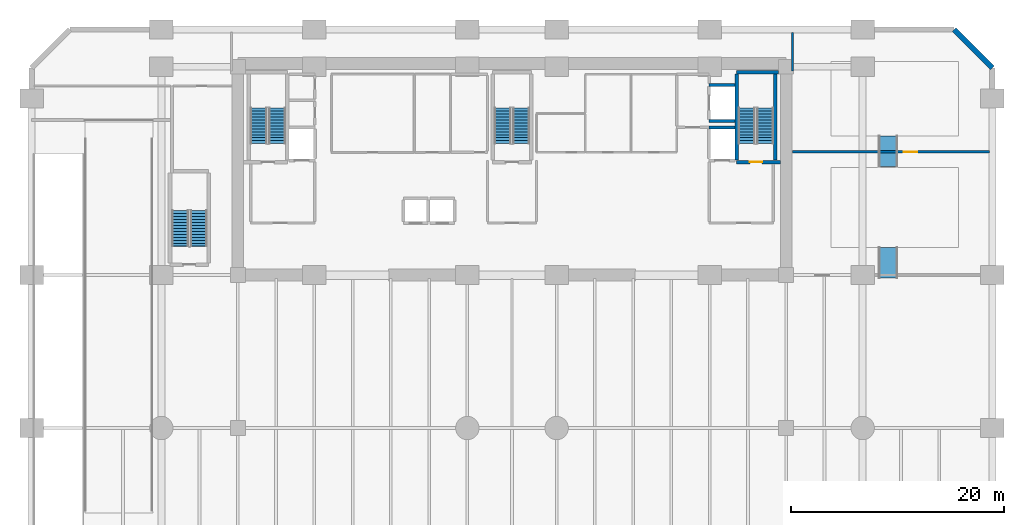
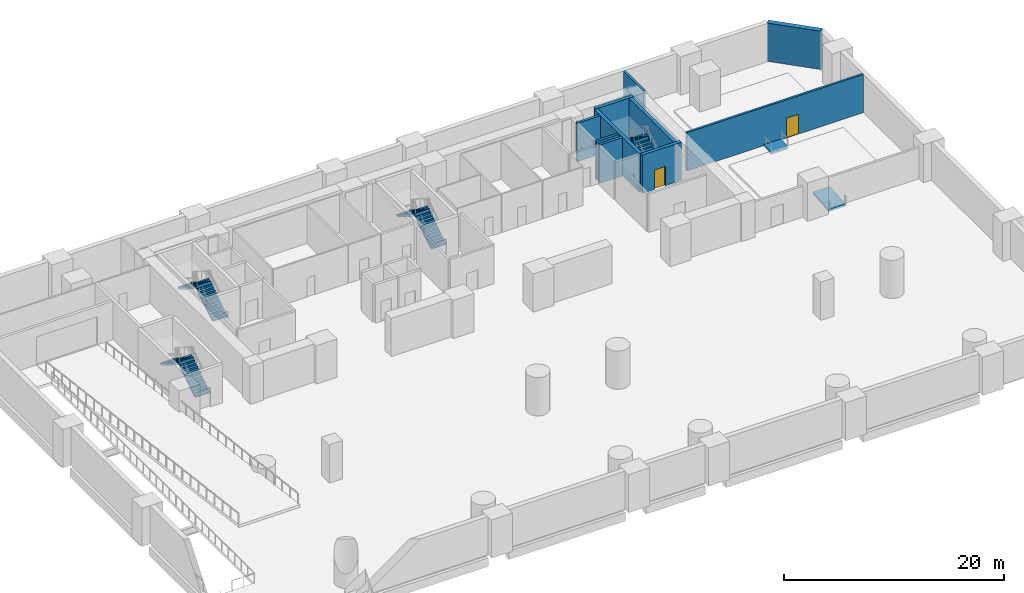
# One storey, part 6 of 9: 10 walls, 8 stair flights, 2 doors, 2 ramp flights, 2 openings, 6 elements without a shape of their own.
"""IFC4 building model written with IfcOpenShell, lengths in metres."""

from ifc_helpers import new_model, si_unit, direction, frame, frame_2d, origin, place, context, subcontext, project, spatial, polyline, rectangle, outline, extrude, material, layer, layer_set, type_object, element, fill, aggregate, save


model = new_model("IFC4")

# Units and contexts
model_context = context("Model", 3, precision=1e-05, world=origin(), true_north=direction((0.0, 1.0)))
body_context = subcontext(model_context, "Body", "Model", "MODEL_VIEW")
ifc_project = project(units=[si_unit("LENGTHUNIT", "METRE"), si_unit("AREAUNIT", "SQUARE_METRE"), si_unit("VOLUMEUNIT", "CUBIC_METRE"), si_unit("PLANEANGLEUNIT", "RADIAN"), si_unit("MASSUNIT", "GRAM", prefix="KILO")], contexts=[model_context])

# Site, building, storey
site_placement = place(None, origin())
site = spatial("IfcSite", under=ifc_project, at=site_placement, CompositionType="ELEMENT")
building_placement = place(site_placement, origin())
building = spatial("IfcBuilding", under=site, at=building_placement, Name="Kaelvorn Grand Hotel", CompositionType="ELEMENT")
storey_placement = place(building_placement, frame((0.0, 0.0, -4.60009765625)))
storey = spatial("IfcBuildingStorey", under=building, at=storey_placement, Name="B01", CompositionType="ELEMENT", Elevation=-4.60009765625)

# Wall, opening, door
ifc_material_1 = material(Name="Concrete C40/50", Category="concrete")
ifc_layer_1 = layer(ifc_material_1, 0.219970703125)
ifc_layer_set_1 = layer_set([ifc_layer_1], Name="Concrete C40/50")
wall_type_1 = type_object("IfcWallType", Name="WL-PART-220-EI120", PredefinedType="PARTITIONING", material=ifc_layer_set_1)
wall_1_placement = place(storey_placement, frame((68.39990234375, 41.0, 0.0), z_axis=(0.0, 0.0, 1.0), x_axis=(1.0, 0.0, 0.0)))
wall_1 = element("IfcWall", 1, at=wall_1_placement, inside=storey, type_object=wall_type_1, Name="B01 Dual 11kV Electrical Substation & Switchroom N Partition", PredefinedType="PARTITIONING", context=body_context, shape_type="SweptSolid", body=[
    extrude(rectangle(XDim=18.545166015625, YDim=0.219970703125, at=frame_2d((9.2724609375, 0.0))), origin(), (0.0, 0.0, 1.0), 4.25),
])
opening_1_placement = place(wall_1_placement, frame((10.449951171875, 0.0, 0.0)))
opening_1 = element("IfcOpeningElement", 2, at=opening_1_placement, cuts=wall_1, Name="Opening DI6", PredefinedType="OPENING", context=body_context, shape_type="SweptSolid", body=[
    extrude(rectangle(XDim=1.300048828125, YDim=2.199951171875, at=frame_2d((0.64990234375, 1.10009765625))), frame((0.0, 0.1201171875, 0.0), z_axis=(0.0, -1.0, 0.0), x_axis=(1.0, 0.0, 0.0)), (0.0, 0.0, 1.0), 0.239990234375),
])
ifc_material_2 = material(Name="Powder-Coated Steel Leaf", Category="steel")
door_type_1 = type_object("IfcDoorType", Name="DR-INT-PLANT-1300x2200", OperationType="DOUBLE_DOOR_SINGLE_SWING", PredefinedType="DOOR", material=ifc_material_2)
door_1_placement = place(opening_1_placement, origin())
door_1 = element("IfcDoor", 3, at=door_1_placement, inside=storey, type_object=door_type_1, Name="B01 Standby Diesel Generator Plant Room Door", OperationType="DOUBLE_DOOR_SINGLE_SWING", OverallHeight=2.199951171875, OverallWidth=1.300048828125, PredefinedType="DOOR", context=body_context, shape_type="SweptSolid", body=[
    extrude(rectangle(XDim=1.300048828125, YDim=2.199951171875, at=frame_2d((0.64990234375, 1.10009765625))), frame((0.0, 0.02490234375, 0.0), z_axis=(0.0, -1.0, 0.0), x_axis=(1.0, 0.0, 0.0)), (0.0, 0.0, 1.0), 0.050048828125),
])
fill(opening_1, door_1)

# Walls
wall_2_placement = place(storey_placement, frame((68.39990234375, 48.610107421875, 0.0), z_axis=(0.0, 0.0, 1.0), x_axis=(0.0, 1.0, 0.0)))
element("IfcWall", 4, at=wall_2_placement, inside=storey, type_object=wall_type_1, Name="B01 Standby Diesel Generator Plant Room W Partition", PredefinedType="PARTITIONING", context=body_context, shape_type="SweptSolid", body=[
    extrude(rectangle(XDim=3.635009765625, YDim=0.219970703125, at=frame_2d((1.8173828125, 0.0))), origin(), (0.0, 0.0, 1.0), 4.25),
])
ifc_material_3 = material(Name="Concrete C50/60", Category="concrete")
ifc_layer_2 = layer(ifc_material_3, 0.5)
ifc_layer_set_2 = layer_set([ifc_layer_2], Name="Concrete C50/60")
wall_type_2 = type_object("IfcWallType", Name="WL-RET-500-C50", PredefinedType="USERDEFINED", material=ifc_layer_set_2)
wall_3_placement = place(storey_placement, frame((87.199951171875, 48.89990234375, 0.0), z_axis=(0.0, 0.0, 1.0), x_axis=(-0.707082803744, 0.707130757816, 0.0)))
element("IfcWall", 5, at=wall_3_placement, inside=storey, type_object=wall_type_2, Name="B01 Perimeter Tanked Retaining Wall 04", ObjectType="RETAININGWALL", PredefinedType="USERDEFINED", context=body_context, shape_type="SweptSolid", body=[
    extrude(rectangle(XDim=5.091064453125, YDim=0.5, at=frame_2d((2.54541015625, 0.0))), origin(), (0.0, 0.0, 1.0), 4.25),
])
ifc_layer_3 = layer(ifc_material_3, 0.280029296875)
ifc_layer_set_3 = layer_set([ifc_layer_3], Name="Concrete C50/60")
wall_type_3 = type_object("IfcWallType", Name="WL-SHAFT-280-C50", PredefinedType="SHEAR", material=ifc_layer_set_3)
for number, where, z_axis, x_axis, name in (
    (6, (60.550048828125, 43.300048828125, 0.0), (0.0, 0.0, 1.0), (1.0, 0.0, 0.0), "B01 Lift FFL2 Shaft North Wall"),
    (7, (60.550048828125, 43.89990234375, 0.0), (0.0, 0.0, 1.0), (1.0, 0.0, 0.0), "B01 Lift SV1 Shaft South Wall"),
    (8, (60.550048828125, 47.300048828125, 0.0), (0.0, 0.0, 1.0), (1.0, 0.0, 0.0), "B01 Lift SV1 Shaft North Wall"),
):
    element("IfcWall", number, at=place(storey_placement, frame(where, z_axis=z_axis, x_axis=x_axis)), inside=storey, type_object=wall_type_3, Name=name, PredefinedType="SHEAR", context=body_context, shape_type="SweptSolid", body=[
        extrude(rectangle(XDim=2.4150390625, YDim=0.280029296875, at=frame_2d((1.20751953125, 0.0))), origin(), (0.0, 0.0, 1.0), 4.25),
    ])

# Wall, opening, door
ifc_material_4 = material(Name="Concrete C60/75", Category="concrete")
ifc_layer_4 = layer(ifc_material_4, 0.35009765625)
ifc_layer_set_4 = layer_set([ifc_layer_4], Name="Concrete C60/75")
wall_type_4 = type_object("IfcWallType", Name="WL-SHAFT-350-C60", PredefinedType="SHEAR", material=ifc_layer_set_4)
wall_4_placement = place(storey_placement, frame((63.14501953125, 40.02490234375, 0.0), z_axis=(0.0, 0.0, 1.0), x_axis=(1.0, 0.0, 0.0)))
wall_4 = element("IfcWall", 9, at=wall_4_placement, inside=storey, type_object=wall_type_4, Name="B01 ST3 Stair Shaft South Wall", PredefinedType="SHEAR", context=body_context, shape_type="SweptSolid", body=[
    extrude(rectangle(XDim=4.10009765625, YDim=0.35009765625, at=frame_2d((2.050048828125, 0.0))), origin(), (0.0, 0.0, 1.0), 4.25),
])
opening_2_placement = place(wall_4_placement, frame((1.239990234375, 0.0, 0.0)))
opening_2 = element("IfcOpeningElement", 10, at=opening_2_placement, cuts=wall_4, Name="Opening DI1", PredefinedType="OPENING", context=body_context, shape_type="SweptSolid", body=[
    extrude(rectangle(XDim=1.14990234375, YDim=2.14990234375, at=frame_2d((0.574951171875, 1.074951171875))), frame((0.0, 0.18505859375, 0.0), z_axis=(0.0, -1.0, 0.0), x_axis=(1.0, 0.0, 0.0)), (0.0, 0.0, 1.0), 0.3701171875),
])
ifc_material_5 = material(Name="Timber Veneer Fire Leaf", Category="wood")
door_type_2 = type_object("IfcDoorType", Name="DR-INT-STAIR-1150x2150", OperationType="NOTDEFINED", PredefinedType="DOOR", material=ifc_material_5)
door_2_placement = place(opening_2_placement, origin())
door_2 = element("IfcDoor", 11, at=door_2_placement, inside=storey, type_object=door_type_2, Name="B01 ST3 Exit Stair Fire Door", OperationType="SINGLE_SWING_RIGHT", OverallHeight=2.14990234375, OverallWidth=1.14990234375, PredefinedType="DOOR", context=body_context, shape_type="SweptSolid", body=[
    extrude(rectangle(XDim=1.14990234375, YDim=2.14990234375, at=frame_2d((0.574951171875, 1.074951171875))), frame((0.0, 0.02490234375, 0.0), z_axis=(0.0, -1.0, 0.0), x_axis=(1.0, 0.0, 0.0)), (0.0, 0.0, 1.0), 0.050048828125),
])
fill(opening_2, door_2)

# Walls
wall_5_placement = place(storey_placement, frame((63.14501953125, 48.47509765625, 0.0), z_axis=(0.0, 0.0, 1.0), x_axis=(1.0, 0.0, 0.0)))
element("IfcWall", 12, at=wall_5_placement, inside=storey, type_object=wall_type_4, Name="B01 ST3 Stair Shaft North Wall", PredefinedType="SHEAR", context=body_context, shape_type="SweptSolid", body=[
    extrude(rectangle(XDim=3.949951171875, YDim=0.35009765625, at=frame_2d((1.97509765625, 0.0))), origin(), (0.0, 0.0, 1.0), 4.25),
])
for number, where, z_axis, x_axis, name in (
    (13, (63.14501953125, 40.205078125, 0.0), (0.0, 0.0, 1.0), (0.0, 1.0, 0.0), "B01 ST3 Stair Shaft West Wall"),
    (14, (66.77490234375, 40.205078125, 0.0), (0.0, 0.0, 1.0), (0.0, 1.0, 0.0), "B01 ST3 Stair Shaft East Wall"),
):
    element("IfcWall", number, at=place(storey_placement, frame(where, z_axis=z_axis, x_axis=x_axis)), inside=storey, type_object=wall_type_4, Name=name, PredefinedType="SHEAR", context=body_context, shape_type="SweptSolid", body=[
        extrude(rectangle(XDim=8.08984375, YDim=0.35009765625, at=frame_2d((4.044921875, 0.0))), origin(), (0.0, 0.0, 1.0), 4.25),
    ])

# Stair, stair flights
stair_type = type_object("IfcStairType", Name="STR-DOG-1560-R01", PredefinedType="HALF_TURN_STAIR", material=ifc_material_1)
stair_1_placement = place(storey_placement, origin())
stair_1 = element("IfcStair", 15, at=stair_1_placement, inside=storey, type_object=stair_type, Name="B01 West Core Exit Stair ST1", PredefinedType="HALF_TURN_STAIR")
stair_flight_type = type_object("IfcStairFlightType", Name="FLG-DOG-1560-R01", PredefinedType="STRAIGHT", material=ifc_material_1)
stair_flight_1_placement = place(storey_placement, frame((19.89990234375, 41.760009765625, 0.0), z_axis=(0.0, 0.0, 1.0), x_axis=(0.0, 1.0, 0.0)))
stair_flight_1 = element("IfcStairFlight", 16, at=stair_flight_1_placement, type_object=stair_flight_type, Name="ST1 flight 1", NumberOfRisers=13, NumberOfTreads=12, PredefinedType="STRAIGHT", RiserHeight=0.176923077, TreadLength=0.28, context=body_context, shape_type="SweptSolid", body=[
    extrude(outline(polyline([(-0.0048828125, 0.0), (-0.0048828125, 0.0400390625), (0.0, 0.177001953125), (0.280029296875, 0.177001953125), (0.280029296875, 0.353759765625), (0.56005859375, 0.353759765625), (0.56005859375, 0.53076171875), (0.840087890625, 0.53076171875), (0.840087890625, 0.707763671875), (1.1201171875, 0.707763671875), (1.1201171875, 0.884521484375), (1.39990234375, 0.884521484375), (1.39990234375, 1.0615234375), (1.679931640625, 1.0615234375), (1.679931640625, 1.238525390625), (1.9599609375, 1.238525390625), (1.9599609375, 1.415283203125), (2.239990234375, 1.415283203125), (2.239990234375, 1.59228515625), (2.52001953125, 1.59228515625), (2.52001953125, 1.769287109375), (2.800048828125, 1.769287109375), (2.800048828125, 1.946044921875), (3.080078125, 1.946044921875), (3.080078125, 2.123046875), (3.360107421875, 2.123046875), (3.360107421875, 2.300048828125), (3.364990234375, 2.300048828125), (3.364990234375, 1.94580078125), (0.280517578125, 0.0), (-0.0048828125, 0.0)])), frame((0.0, 0.780029296875, 0.0), z_axis=(0.0, -1.0, 0.0), x_axis=(1.0, 0.0, 0.0)), (0.0, 0.0, 1.0), 1.56005859375),
])
stair_flight_2_placement = place(storey_placement, frame((18.179931640625, 45.1201171875, 2.300048828125), z_axis=(0.0, 0.0, 1.0), x_axis=(0.0, -1.0, 0.0)))
stair_flight_2 = element("IfcStairFlight", 17, at=stair_flight_2_placement, type_object=stair_flight_type, Name="ST1 flight 2", NumberOfRisers=13, NumberOfTreads=12, PredefinedType="STRAIGHT", RiserHeight=0.176923077, TreadLength=0.28, context=body_context, shape_type="SweptSolid", body=[
    extrude(outline(polyline([(-0.0048828125, 0.0), (-0.0048828125, 0.0400390625), (0.0, 0.177001953125), (0.280029296875, 0.177001953125), (0.280029296875, 0.353759765625), (0.56005859375, 0.353759765625), (0.56005859375, 0.53076171875), (0.840087890625, 0.53076171875), (0.840087890625, 0.707763671875), (1.1201171875, 0.707763671875), (1.1201171875, 0.884521484375), (1.39990234375, 0.884521484375), (1.39990234375, 1.0615234375), (1.679931640625, 1.0615234375), (1.679931640625, 1.238525390625), (1.9599609375, 1.238525390625), (1.9599609375, 1.415283203125), (2.239990234375, 1.415283203125), (2.239990234375, 1.59228515625), (2.52001953125, 1.59228515625), (2.52001953125, 1.769287109375), (2.800048828125, 1.769287109375), (2.800048828125, 1.946044921875), (3.080078125, 1.946044921875), (3.080078125, 2.123046875), (3.360107421875, 2.123046875), (3.360107421875, 2.300048828125), (3.364990234375, 2.300048828125), (3.364990234375, 1.94580078125), (0.280517578125, 0.0), (-0.0048828125, 0.0)])), frame((0.0, 0.780029296875, 0.0), z_axis=(0.0, -1.0, 0.0), x_axis=(1.0, 0.0, 0.0)), (0.0, 0.0, 1.0), 1.56005859375),
])
aggregate(stair_1, [stair_flight_1, stair_flight_2])

stair_2_placement = place(storey_placement, origin())
stair_2 = element("IfcStair", 18, at=stair_2_placement, inside=storey, type_object=stair_type, Name="B01 Central Core Exit Stair ST2", PredefinedType="HALF_TURN_STAIR")
stair_flight_3_placement = place(storey_placement, frame((42.860107421875, 41.760009765625, 0.0), z_axis=(0.0, 0.0, 1.0), x_axis=(0.0, 1.0, 0.0)))
stair_flight_3 = element("IfcStairFlight", 19, at=stair_flight_3_placement, type_object=stair_flight_type, Name="ST2 flight 1", NumberOfRisers=13, NumberOfTreads=12, PredefinedType="STRAIGHT", RiserHeight=0.176923077, TreadLength=0.28, context=body_context, shape_type="SweptSolid", body=[
    extrude(outline(polyline([(-0.0048828125, 0.0), (-0.0048828125, 0.0400390625), (0.0, 0.177001953125), (0.280029296875, 0.177001953125), (0.280029296875, 0.353759765625), (0.56005859375, 0.353759765625), (0.56005859375, 0.53076171875), (0.840087890625, 0.53076171875), (0.840087890625, 0.707763671875), (1.1201171875, 0.707763671875), (1.1201171875, 0.884521484375), (1.39990234375, 0.884521484375), (1.39990234375, 1.0615234375), (1.679931640625, 1.0615234375), (1.679931640625, 1.238525390625), (1.9599609375, 1.238525390625), (1.9599609375, 1.415283203125), (2.239990234375, 1.415283203125), (2.239990234375, 1.59228515625), (2.52001953125, 1.59228515625), (2.52001953125, 1.769287109375), (2.800048828125, 1.769287109375), (2.800048828125, 1.946044921875), (3.080078125, 1.946044921875), (3.080078125, 2.123046875), (3.360107421875, 2.123046875), (3.360107421875, 2.300048828125), (3.364990234375, 2.300048828125), (3.364990234375, 1.94580078125), (0.280517578125, 0.0), (-0.0048828125, 0.0)])), frame((0.0, 0.780029296875, 0.0), z_axis=(0.0, -1.0, 0.0), x_axis=(1.0, 0.0, 0.0)), (0.0, 0.0, 1.0), 1.56005859375),
])
stair_flight_4_placement = place(storey_placement, frame((41.139892578125, 45.1201171875, 2.300048828125), z_axis=(0.0, 0.0, 1.0), x_axis=(0.0, -1.0, 0.0)))
stair_flight_4 = element("IfcStairFlight", 20, at=stair_flight_4_placement, type_object=stair_flight_type, Name="ST2 flight 2", NumberOfRisers=13, NumberOfTreads=12, PredefinedType="STRAIGHT", RiserHeight=0.176923077, TreadLength=0.28, context=body_context, shape_type="SweptSolid", body=[
    extrude(outline(polyline([(-0.0048828125, 0.0), (-0.0048828125, 0.0400390625), (0.0, 0.177001953125), (0.280029296875, 0.177001953125), (0.280029296875, 0.353759765625), (0.56005859375, 0.353759765625), (0.56005859375, 0.53076171875), (0.840087890625, 0.53076171875), (0.840087890625, 0.707763671875), (1.1201171875, 0.707763671875), (1.1201171875, 0.884521484375), (1.39990234375, 0.884521484375), (1.39990234375, 1.0615234375), (1.679931640625, 1.0615234375), (1.679931640625, 1.238525390625), (1.9599609375, 1.238525390625), (1.9599609375, 1.415283203125), (2.239990234375, 1.415283203125), (2.239990234375, 1.59228515625), (2.52001953125, 1.59228515625), (2.52001953125, 1.769287109375), (2.800048828125, 1.769287109375), (2.800048828125, 1.946044921875), (3.080078125, 1.946044921875), (3.080078125, 2.123046875), (3.360107421875, 2.123046875), (3.360107421875, 2.300048828125), (3.364990234375, 2.300048828125), (3.364990234375, 1.94580078125), (0.280517578125, 0.0), (-0.0048828125, 0.0)])), frame((0.0, 0.780029296875, 0.0), z_axis=(0.0, -1.0, 0.0), x_axis=(1.0, 0.0, 0.0)), (0.0, 0.0, 1.0), 1.56005859375),
])
aggregate(stair_2, [stair_flight_3, stair_flight_4])

stair_3_placement = place(storey_placement, origin())
stair_3 = element("IfcStair", 21, at=stair_3_placement, inside=storey, type_object=stair_type, Name="B01 East Core Exit Stair ST3", PredefinedType="HALF_TURN_STAIR")
stair_flight_5_placement = place(storey_placement, frame((65.820068359375, 41.760009765625, 0.0), z_axis=(0.0, 0.0, 1.0), x_axis=(0.0, 1.0, 0.0)))
stair_flight_5 = element("IfcStairFlight", 22, at=stair_flight_5_placement, type_object=stair_flight_type, Name="ST3 flight 1", NumberOfRisers=13, NumberOfTreads=12, PredefinedType="STRAIGHT", RiserHeight=0.176923077, TreadLength=0.28, context=body_context, shape_type="SweptSolid", body=[
    extrude(outline(polyline([(-0.0048828125, 0.0), (-0.0048828125, 0.0400390625), (0.0, 0.177001953125), (0.280029296875, 0.177001953125), (0.280029296875, 0.353759765625), (0.56005859375, 0.353759765625), (0.56005859375, 0.53076171875), (0.840087890625, 0.53076171875), (0.840087890625, 0.707763671875), (1.1201171875, 0.707763671875), (1.1201171875, 0.884521484375), (1.39990234375, 0.884521484375), (1.39990234375, 1.0615234375), (1.679931640625, 1.0615234375), (1.679931640625, 1.238525390625), (1.9599609375, 1.238525390625), (1.9599609375, 1.415283203125), (2.239990234375, 1.415283203125), (2.239990234375, 1.59228515625), (2.52001953125, 1.59228515625), (2.52001953125, 1.769287109375), (2.800048828125, 1.769287109375), (2.800048828125, 1.946044921875), (3.080078125, 1.946044921875), (3.080078125, 2.123046875), (3.360107421875, 2.123046875), (3.360107421875, 2.300048828125), (3.364990234375, 2.300048828125), (3.364990234375, 1.94580078125), (0.280517578125, 0.0), (-0.0048828125, 0.0)])), frame((0.0, 0.780029296875, 0.0), z_axis=(0.0, -1.0, 0.0), x_axis=(1.0, 0.0, 0.0)), (0.0, 0.0, 1.0), 1.56005859375),
])
stair_flight_6_placement = place(storey_placement, frame((64.10009765625, 45.1201171875, 2.300048828125), z_axis=(0.0, 0.0, 1.0), x_axis=(0.0, -1.0, 0.0)))
stair_flight_6 = element("IfcStairFlight", 23, at=stair_flight_6_placement, type_object=stair_flight_type, Name="ST3 flight 2", NumberOfRisers=13, NumberOfTreads=12, PredefinedType="STRAIGHT", RiserHeight=0.176923077, TreadLength=0.28, context=body_context, shape_type="SweptSolid", body=[
    extrude(outline(polyline([(-0.0048828125, 0.0), (-0.0048828125, 0.0400390625), (0.0, 0.177001953125), (0.280029296875, 0.177001953125), (0.280029296875, 0.353759765625), (0.56005859375, 0.353759765625), (0.56005859375, 0.53076171875), (0.840087890625, 0.53076171875), (0.840087890625, 0.707763671875), (1.1201171875, 0.707763671875), (1.1201171875, 0.884521484375), (1.39990234375, 0.884521484375), (1.39990234375, 1.0615234375), (1.679931640625, 1.0615234375), (1.679931640625, 1.238525390625), (1.9599609375, 1.238525390625), (1.9599609375, 1.415283203125), (2.239990234375, 1.415283203125), (2.239990234375, 1.59228515625), (2.52001953125, 1.59228515625), (2.52001953125, 1.769287109375), (2.800048828125, 1.769287109375), (2.800048828125, 1.946044921875), (3.080078125, 1.946044921875), (3.080078125, 2.123046875), (3.360107421875, 2.123046875), (3.360107421875, 2.300048828125), (3.364990234375, 2.300048828125), (3.364990234375, 1.94580078125), (0.280517578125, 0.0), (-0.0048828125, 0.0)])), frame((0.0, 0.780029296875, 0.0), z_axis=(0.0, -1.0, 0.0), x_axis=(1.0, 0.0, 0.0)), (0.0, 0.0, 1.0), 1.56005859375),
])
aggregate(stair_3, [stair_flight_5, stair_flight_6])

stair_4_placement = place(storey_placement, origin())
stair_4 = element("IfcStair", 24, at=stair_4_placement, inside=storey, type_object=stair_type, Name="B01 Podium Grand Stair ST4", PredefinedType="HALF_TURN_STAIR")
stair_flight_7_placement = place(storey_placement, frame((12.5, 32.110107421875, 0.0), z_axis=(0.0, 0.0, 1.0), x_axis=(0.0, 1.0, 0.0)))
stair_flight_7 = element("IfcStairFlight", 25, at=stair_flight_7_placement, type_object=stair_flight_type, Name="ST4 flight 1", NumberOfRisers=13, NumberOfTreads=12, PredefinedType="STRAIGHT", RiserHeight=0.176923077, TreadLength=0.28, context=body_context, shape_type="SweptSolid", body=[
    extrude(outline(polyline([(-0.0048828125, 0.0), (-0.0048828125, 0.0400390625), (0.0, 0.177001953125), (0.280029296875, 0.177001953125), (0.280029296875, 0.353759765625), (0.56005859375, 0.353759765625), (0.56005859375, 0.53076171875), (0.840087890625, 0.53076171875), (0.840087890625, 0.707763671875), (1.1201171875, 0.707763671875), (1.1201171875, 0.884521484375), (1.39990234375, 0.884521484375), (1.39990234375, 1.0615234375), (1.679931640625, 1.0615234375), (1.679931640625, 1.238525390625), (1.9599609375, 1.238525390625), (1.9599609375, 1.415283203125), (2.239990234375, 1.415283203125), (2.239990234375, 1.59228515625), (2.52001953125, 1.59228515625), (2.52001953125, 1.769287109375), (2.800048828125, 1.769287109375), (2.800048828125, 1.946044921875), (3.080078125, 1.946044921875), (3.080078125, 2.123046875), (3.360107421875, 2.123046875), (3.360107421875, 2.300048828125), (3.364990234375, 2.300048828125), (3.364990234375, 1.94580078125), (0.280517578125, 0.0), (-0.0048828125, 0.0)])), frame((0.0, 0.780029296875, 0.0), z_axis=(0.0, -1.0, 0.0), x_axis=(1.0, 0.0, 0.0)), (0.0, 0.0, 1.0), 1.56005859375),
])
stair_flight_8_placement = place(storey_placement, frame((10.780029296875, 35.469970703125, 2.300048828125), z_axis=(0.0, 0.0, 1.0), x_axis=(0.0, -1.0, 0.0)))
stair_flight_8 = element("IfcStairFlight", 26, at=stair_flight_8_placement, type_object=stair_flight_type, Name="ST4 flight 2", NumberOfRisers=13, NumberOfTreads=12, PredefinedType="STRAIGHT", RiserHeight=0.176923077, TreadLength=0.28, context=body_context, shape_type="SweptSolid", body=[
    extrude(outline(polyline([(-0.0048828125, 0.0), (-0.0048828125, 0.0400390625), (0.0, 0.177001953125), (0.280029296875, 0.177001953125), (0.280029296875, 0.353759765625), (0.56005859375, 0.353759765625), (0.56005859375, 0.53076171875), (0.840087890625, 0.53076171875), (0.840087890625, 0.707763671875), (1.1201171875, 0.707763671875), (1.1201171875, 0.884521484375), (1.39990234375, 0.884521484375), (1.39990234375, 1.0615234375), (1.679931640625, 1.0615234375), (1.679931640625, 1.238525390625), (1.9599609375, 1.238525390625), (1.9599609375, 1.415283203125), (2.239990234375, 1.415283203125), (2.239990234375, 1.59228515625), (2.52001953125, 1.59228515625), (2.52001953125, 1.769287109375), (2.800048828125, 1.769287109375), (2.800048828125, 1.946044921875), (3.080078125, 1.946044921875), (3.080078125, 2.123046875), (3.360107421875, 2.123046875), (3.360107421875, 2.300048828125), (3.364990234375, 2.300048828125), (3.364990234375, 1.94580078125), (0.280517578125, 0.0), (-0.0048828125, 0.0)])), frame((0.0, 0.780029296875, 0.0), z_axis=(0.0, -1.0, 0.0), x_axis=(1.0, 0.0, 0.0)), (0.0, 0.0, 1.0), 1.56005859375),
])
aggregate(stair_4, [stair_flight_7, stair_flight_8])

# Ramp, ramp flight
ramp_type = type_object("IfcRampType", Name="RMP-ACC-1800", PredefinedType="STRAIGHT_RUN_RAMP", material=ifc_material_1)
ramp_1_placement = place(storey_placement, origin())
ramp_1 = element("IfcRamp", 27, at=ramp_1_placement, inside=storey, type_object=ramp_type, Name="B01 Accessible Plinth Approach Ramp AR3", PredefinedType="STRAIGHT_RUN_RAMP")
ifc_layer_5 = layer(ifc_material_1, 0.219970703125)
ifc_layer_set_5 = layer_set([ifc_layer_5], Name="Concrete C40/50")
ramp_flight_type = type_object("IfcRampFlightType", Name="RMPF-ACC-1800", PredefinedType="STRAIGHT", material=ifc_layer_set_5)
ramp_flight_1_placement = place(storey_placement, frame((77.39990234375, 29.114990234375, 0.0), z_axis=(0.0, 0.0, 1.0), x_axis=(0.0, 1.0, 0.0)))
ramp_flight_1 = element("IfcRampFlight", 28, at=ramp_flight_1_placement, type_object=ramp_flight_type, Name="B01 Accessible Ramp Flight AR3-F1", PredefinedType="STRAIGHT", context=body_context, shape_type="SweptSolid", body=[
    extrude(outline(polyline([(0.0, 0.0), (2.889892578125, 0.239990234375), (2.889892578125, 0.02001953125), (0.0, -0.219970703125), (0.0, 0.0)])), frame((0.0, 0.89990234375, 0.0), z_axis=(0.0, -1.0, 0.0), x_axis=(1.0, 0.0, 0.0)), (0.0, 0.0, 1.0), 1.800048828125),
])
aggregate(ramp_1, [ramp_flight_1])

ramp_2_placement = place(storey_placement, origin())
ramp_2 = element("IfcRamp", 29, at=ramp_2_placement, inside=storey, type_object=ramp_type, Name="B01 Accessible Plinth Approach Ramp AR4", PredefinedType="STRAIGHT_RUN_RAMP")
ramp_flight_2_placement = place(storey_placement, frame((77.39990234375, 39.614990234375, 0.0), z_axis=(0.0, 0.0, 1.0), x_axis=(0.0, 1.0, 0.0)))
ramp_flight_2 = element("IfcRampFlight", 30, at=ramp_flight_2_placement, type_object=ramp_flight_type, Name="B01 Accessible Ramp Flight AR4-F1", PredefinedType="STRAIGHT", context=body_context, shape_type="SweptSolid", body=[
    extrude(outline(polyline([(0.0, 0.0), (2.889892578125, 0.239990234375), (2.889892578125, 0.02001953125), (0.0, -0.219970703125), (0.0, 0.0)])), frame((0.0, 0.89990234375, 0.0), z_axis=(0.0, -1.0, 0.0), x_axis=(1.0, 0.0, 0.0)), (0.0, 0.0, 1.0), 1.800048828125),
])
aggregate(ramp_2, [ramp_flight_2])

save(model, "model.ifc")
